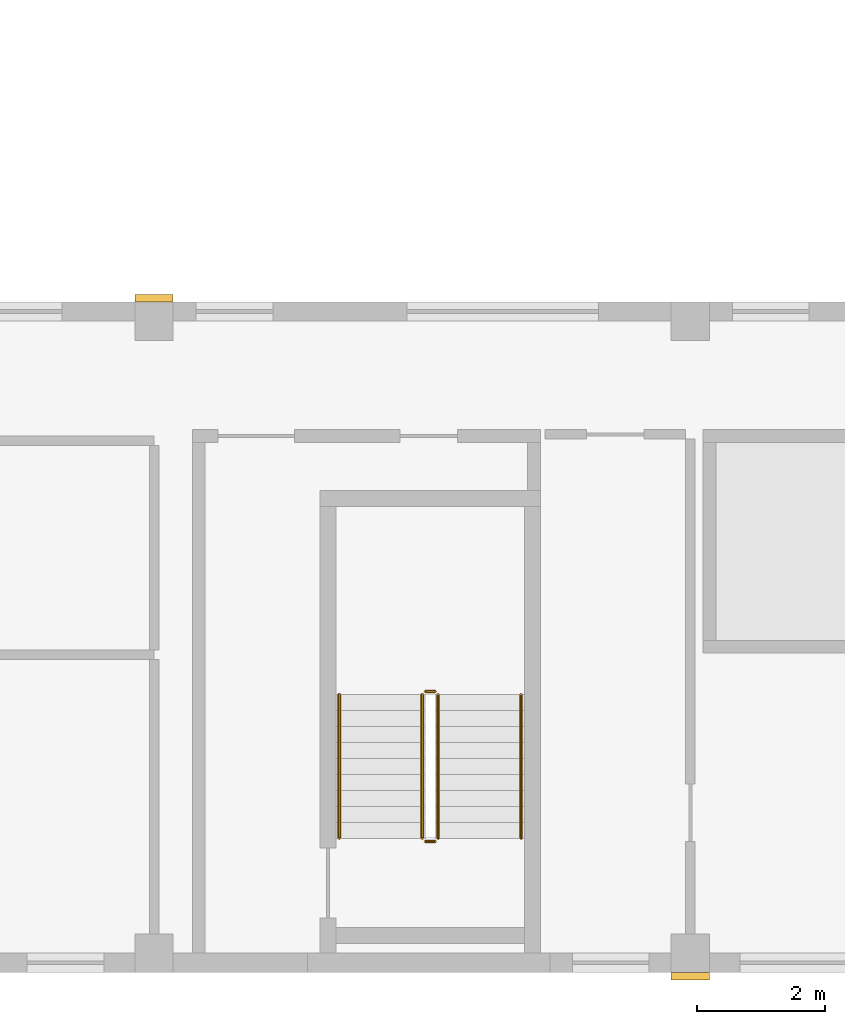
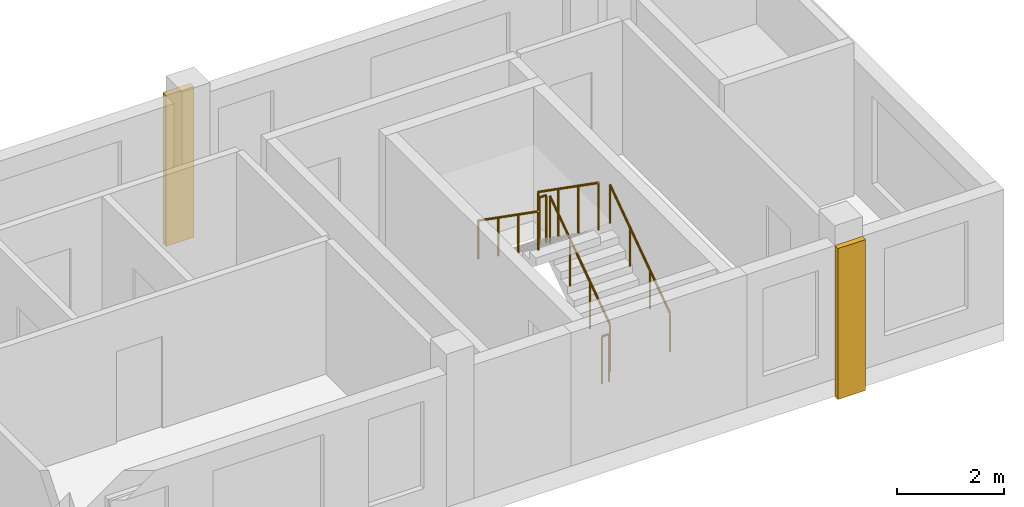
# One storey, part 9 of 10: 6 railings, 2 coverings.
"""IFC4 building model written with IfcOpenShell, lengths in metres."""

from ifc_helpers import new_model, si_unit, direction, frame, origin, origin_2d, place, context, subcontext, project, spatial, rectangle, circle, extrude, source, transform, mapped, material, type_object, element, save


model = new_model("IFC4")

# Units and contexts
model_context = context("Model", 3, precision=1e-05, world=origin(), true_north=direction((0.0, 1.0)))
body_context = subcontext(model_context, "Body", "Model", "MODEL_VIEW")
ifc_project = project(units=[si_unit("LENGTHUNIT", "METRE"), si_unit("AREAUNIT", "SQUARE_METRE"), si_unit("VOLUMEUNIT", "CUBIC_METRE"), si_unit("PLANEANGLEUNIT", "RADIAN"), si_unit("MASSUNIT", "GRAM", prefix="KILO")], contexts=[model_context])

# Site, building, storey
site_placement = place(None, origin())
site = spatial("IfcSite", under=ifc_project, at=site_placement, CompositionType="ELEMENT")
building_placement = place(site_placement, origin())
building = spatial("IfcBuilding", under=site, at=building_placement, Name="Aurelian Terraces", CompositionType="ELEMENT")
storey_placement = place(building_placement, frame((0.0, 0.0, 365.0)))
storey = spatial("IfcBuildingStorey", under=building, at=storey_placement, Name="L87", CompositionType="ELEMENT", Elevation=365.0)

# Coverings
ifc_material_1 = material(Name="Terracotta rainscreen cladding relief", Category="masonry")
covering_type = type_object("IfcCoveringType", Name="BAGUETTE-TC", PredefinedType="CLADDING", material=ifc_material_1)
shared_shape_1 = source(origin(), body_context, "Body", "SweptSolid", [
    extrude(rectangle(XDim=0.6, YDim=0.12, at=origin_2d()), origin(), (0.0, 0.0, 1.0), 3.45),
])
for number, where, z_axis, x_axis, name in (
    (1, (46.2, -0.06, -0.4), (0.0, 0.0, 1.0), (1.0, 0.0, 0.0), "BAGUETTE pier L87 3"),
    (2, (37.8, 10.56, -0.4), (0.0, 0.0, 1.0), (1.0, 0.0, 0.0), "BAGUETTE pier L87 4"),
):
    element("IfcCovering", number, at=place(storey_placement, frame(where, z_axis=z_axis, x_axis=x_axis)), inside=storey, type_object=covering_type, Name=name, PredefinedType="CLADDING", context=body_context, shape_type="MappedRepresentation", body=[
        mapped(shared_shape_1, transform((0.0, 0.0, 0.0), scale=1.0)),
    ])

# Railings
ifc_material_2 = material(Name="Stainless steel", Category="steel")
railing_type_1 = type_object("IfcRailingType", Name="Stair guard 1100", PredefinedType="GUARDRAIL", material=ifc_material_2)
shared_shape_2 = source(origin(), body_context, "Body", "SweptSolid", [
    extrude(circle(Radius=0.024, at=origin_2d()), frame((0.0, 0.0, 1.076), z_axis=(-1.0, 0.0, 0.0), x_axis=(0.0, -1.0, 0.0)), (0.0, 0.0, 1.0), 0.15),
    extrude(circle(Radius=0.021, at=origin_2d()), origin(), (0.0, 0.0, 1.0), 1.052),
    extrude(circle(Radius=0.021, at=origin_2d()), frame((-0.15, 0.0, 0.0)), (0.0, 0.0, 1.0), 1.052),
])
for number, where, name in (
    (3, (42.2, 4.4, 1.75), "L87 S2 stair guard 2"),
    (4, (42.2, 2.05, 0.0), "L87 S2 stair guard 4"),
):
    element("IfcRailing", number, at=place(storey_placement, frame(where)), inside=storey, type_object=railing_type_1, Name=name, PredefinedType="GUARDRAIL", context=body_context, shape_type="MappedRepresentation", body=[
        mapped(shared_shape_2, transform((0.0, 0.0, 0.0), scale=1.0)),
    ])
shared_shape_3 = source(origin(), body_context, "Body", "SweptSolid", [
    extrude(circle(Radius=0.024, at=origin_2d()), frame((0.0, 0.0, 1.076), z_axis=(0.0, 0.819231920519, 0.573462344363), x_axis=(-1.0, 0.0, 0.0)), (0.0, 0.0, 1.0), 2.7465),
    extrude(circle(Radius=0.021, at=origin_2d()), origin(), (0.0, 0.0, 1.0), 1.052),
    extrude(circle(Radius=0.021, at=origin_2d()), frame((0.0, 0.75, 0.525)), (0.0, 0.0, 1.0), 1.052),
    extrude(circle(Radius=0.021, at=origin_2d()), frame((0.0, 1.5, 1.05)), (0.0, 0.0, 1.0), 1.052),
    extrude(circle(Radius=0.021, at=origin_2d()), frame((0.0, 2.25, 1.575)), (0.0, 0.0, 1.0), 1.052),
])
railing_1_placement = place(storey_placement, frame((42.25, 2.1, 0.175)))
element("IfcRailing", 5, at=railing_1_placement, inside=storey, type_object=railing_type_1, Name="L87 S2 stair guard 1", PredefinedType="GUARDRAIL", context=body_context, shape_type="MappedRepresentation", body=[
    mapped(shared_shape_3, transform((0.0, 0.0, 0.0), scale=1.0)),
])
shared_shape_4 = source(origin(), body_context, "Body", "SweptSolid", [
    extrude(circle(Radius=0.024, at=origin_2d()), frame((0.0, 0.0, 1.076), z_axis=(0.0, -0.819231920519, 0.573462344363), x_axis=(1.0, 0.0, 0.0)), (0.0, 0.0, 1.0), 2.7465),
    extrude(circle(Radius=0.021, at=origin_2d()), origin(), (0.0, 0.0, 1.0), 1.052),
    extrude(circle(Radius=0.021, at=origin_2d()), frame((0.0, -0.75, 0.525)), (0.0, 0.0, 1.0), 1.052),
    extrude(circle(Radius=0.021, at=origin_2d()), frame((0.0, -1.5, 1.05)), (0.0, 0.0, 1.0), 1.052),
    extrude(circle(Radius=0.021, at=origin_2d()), frame((0.0, -2.25, 1.575)), (0.0, 0.0, 1.0), 1.052),
])
railing_2_placement = place(storey_placement, frame((42.0, 4.35, 1.925)))
element("IfcRailing", 6, at=railing_2_placement, inside=storey, type_object=railing_type_1, Name="L87 S2 stair guard 3", PredefinedType="GUARDRAIL", context=body_context, shape_type="MappedRepresentation", body=[
    mapped(shared_shape_4, transform((0.0, 0.0, 0.0), scale=1.0)),
])
railing_type_2 = type_object("IfcRailingType", Name="Stair handrail", PredefinedType="HANDRAIL", material=ifc_material_2)
shared_shape_5 = source(origin(), body_context, "Body", "SweptSolid", [
    extrude(circle(Radius=0.024, at=origin_2d()), frame((0.0, 0.0, 0.876), z_axis=(0.0, 0.819231920519, 0.573462344363), x_axis=(-1.0, 0.0, 0.0)), (0.0, 0.0, 1.0), 2.7465),
    extrude(circle(Radius=0.021, at=origin_2d()), origin(), (0.0, 0.0, 1.0), 0.852),
    extrude(circle(Radius=0.021, at=origin_2d()), frame((0.0, 0.75, 0.525)), (0.0, 0.0, 1.0), 0.852),
    extrude(circle(Radius=0.021, at=origin_2d()), frame((0.0, 1.5, 1.05)), (0.0, 0.0, 1.0), 0.852),
    extrude(circle(Radius=0.021, at=origin_2d()), frame((0.0, 2.25, 1.575)), (0.0, 0.0, 1.0), 0.852),
])
railing_3_placement = place(storey_placement, frame((43.55, 2.1, 0.175)))
element("IfcRailing", 7, at=railing_3_placement, inside=storey, type_object=railing_type_2, Name="L87 S2 stair handrail 1", PredefinedType="HANDRAIL", context=body_context, shape_type="MappedRepresentation", body=[
    mapped(shared_shape_5, transform((0.0, 0.0, 0.0), scale=1.0)),
])
shared_shape_6 = source(origin(), body_context, "Body", "SweptSolid", [
    extrude(circle(Radius=0.024, at=origin_2d()), frame((0.0, 0.0, 0.876), z_axis=(0.0, -0.819231920519, 0.573462344363), x_axis=(1.0, 0.0, 0.0)), (0.0, 0.0, 1.0), 2.7465),
    extrude(circle(Radius=0.021, at=origin_2d()), origin(), (0.0, 0.0, 1.0), 0.852),
    extrude(circle(Radius=0.021, at=origin_2d()), frame((0.0, -0.75, 0.525)), (0.0, 0.0, 1.0), 0.852),
    extrude(circle(Radius=0.021, at=origin_2d()), frame((0.0, -1.5, 1.05)), (0.0, 0.0, 1.0), 0.852),
    extrude(circle(Radius=0.021, at=origin_2d()), frame((0.0, -2.25, 1.575)), (0.0, 0.0, 1.0), 0.852),
])
railing_4_placement = place(storey_placement, frame((40.7, 4.35, 1.925)))
element("IfcRailing", 8, at=railing_4_placement, inside=storey, type_object=railing_type_2, Name="L87 S2 stair handrail 2", PredefinedType="HANDRAIL", context=body_context, shape_type="MappedRepresentation", body=[
    mapped(shared_shape_6, transform((0.0, 0.0, 0.0), scale=1.0)),
])

save(model, "model.ifc")
